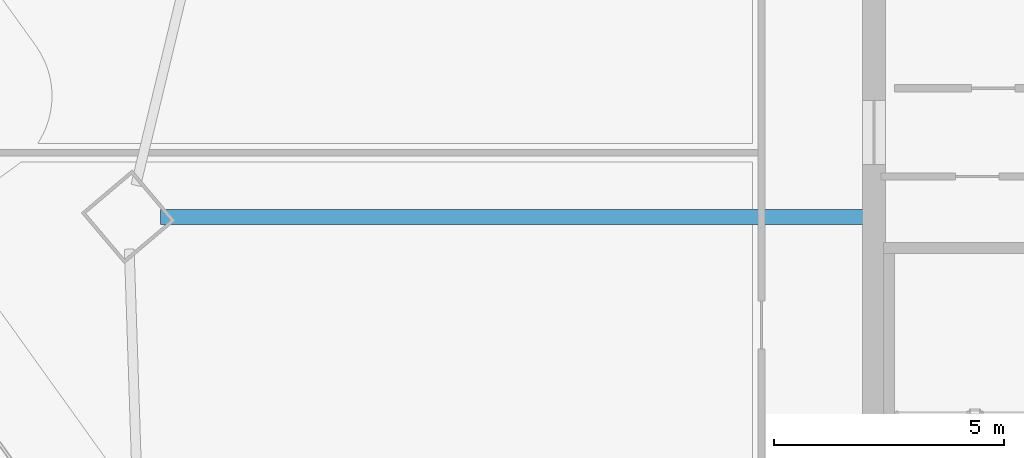
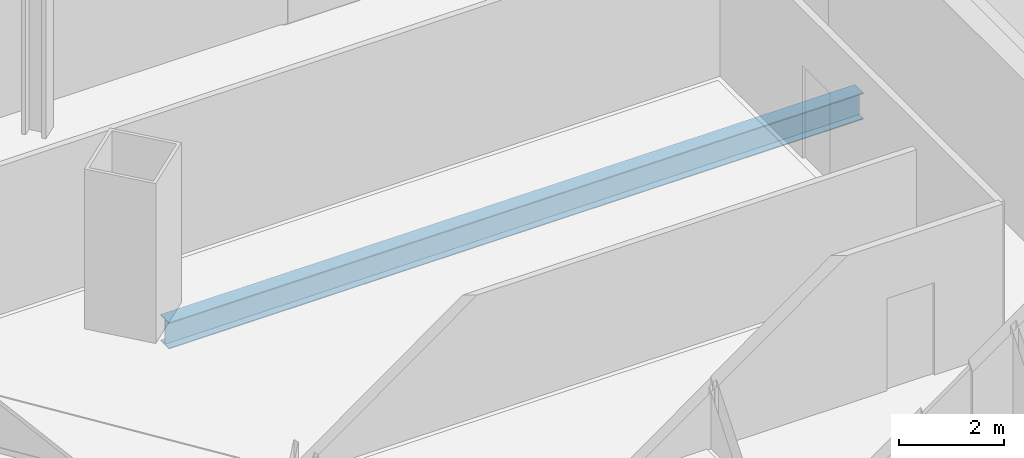
# One storey, part 12 of 33: 1 beam.
"""IFC4 building model written with IfcOpenShell, lengths in metres."""

from ifc_helpers import new_model, si_unit, direction, frame, origin, origin_2d, place, context, subcontext, project, spatial, i_section, extrude, material, material_profile, profile_set, type_object, element, save


model = new_model("IFC4")

# Units and contexts
model_context = context("Model", 3, precision=1e-05, world=origin(), true_north=direction((0.0, 1.0)))
body_context = subcontext(model_context, "Body", "Model", "MODEL_VIEW")
ifc_project = project(units=[si_unit("LENGTHUNIT", "METRE"), si_unit("AREAUNIT", "SQUARE_METRE"), si_unit("VOLUMEUNIT", "CUBIC_METRE"), si_unit("PLANEANGLEUNIT", "RADIAN"), si_unit("MASSUNIT", "GRAM", prefix="KILO")], contexts=[model_context])

# Site, building, storey
site_placement = place(None, origin())
site = spatial("IfcSite", under=ifc_project, at=site_placement, CompositionType="ELEMENT")
building_placement = place(site_placement, origin())
building = spatial("IfcBuilding", under=site, at=building_placement, Name="Haldenkirk Collegiate Tower", CompositionType="ELEMENT")
storey_placement = place(building_placement, frame((0.0, 0.0, 148.199951171875)))
storey = spatial("IfcBuildingStorey", under=building, at=storey_placement, Name="L36", CompositionType="ELEMENT", Elevation=148.199951171875)

# Beam
ifc_material = material(Name="Steel ASTM A992 Grade 50", Category="steel")
ifc_material_profile = material_profile(ifc_material, i_section(OverallWidth=0.324951171875, OverallDepth=0.615966796875, WebThickness=0.013916015625, FlangeThickness=0.021484375, at=origin_2d()), Name="W24X117")
ifc_profile_set = profile_set([ifc_material_profile], Name="Steel ASTM A992 Grade 50")
beam_type = type_object("IfcBeamType", Name="BM-GIRDER-W24X117", PredefinedType="BEAM", material=ifc_profile_set)
beam_placement = place(storey_placement, frame((11.466064453125, 27.103759765625, -0.597900390625), z_axis=(1.0, 0.0, 0.0), x_axis=(0.0, 1.0, 0.0)))
element("IfcBeam", 1, at=beam_placement, inside=storey, type_object=beam_type, Name="L36 primary floor girder 04", PredefinedType="BEAM", context=body_context, shape_type="SweptSolid", body=[
    extrude(i_section(OverallWidth=0.324951171875, OverallDepth=0.615966796875, WebThickness=0.013916015625, FlangeThickness=0.021484375, at=origin_2d()), origin(), (0.0, 0.0, 1.0), 15.303955078125),
])

save(model, "model.ifc")
